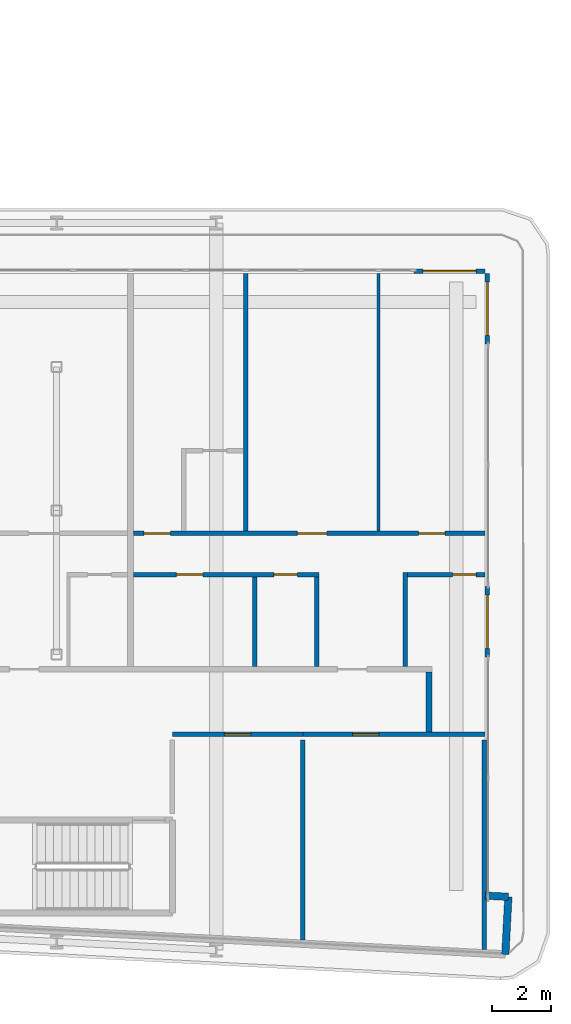
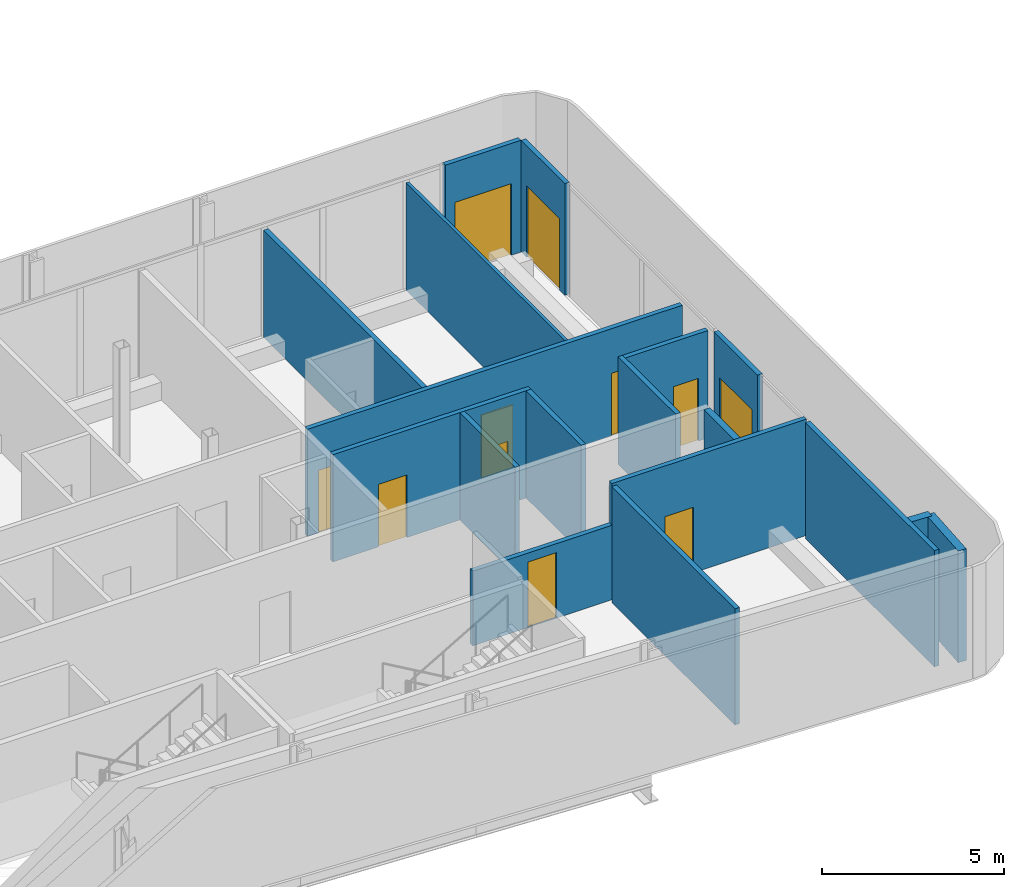
# One storey, part 20 of 29: 18 walls, 11 doors, 11 openings.
"""IFC4 building model written with IfcOpenShell, lengths in metres."""

from ifc_helpers import new_model, si_unit, direction, frame, frame_2d, origin, place, context, subcontext, project, spatial, rectangle, extrude, source, transform, mapped, material, layer, layer_set, type_object, element, fill, save


model = new_model("IFC4")

# Units and contexts
model_context = context("Model", 3, precision=1e-05, world=origin(), true_north=direction((0.0, 1.0)))
body_context = subcontext(model_context, "Body", "Model", "MODEL_VIEW")
ifc_project = project(units=[si_unit("LENGTHUNIT", "METRE"), si_unit("AREAUNIT", "SQUARE_METRE"), si_unit("VOLUMEUNIT", "CUBIC_METRE"), si_unit("PLANEANGLEUNIT", "RADIAN"), si_unit("MASSUNIT", "GRAM", prefix="KILO")], contexts=[model_context])

# Site, building, storey
site_placement = place(None, origin())
site = spatial("IfcSite", under=ifc_project, at=site_placement, CompositionType="ELEMENT")
building_placement = place(site_placement, origin())
building = spatial("IfcBuilding", under=site, at=building_placement, Name="Kheshtan School and Residences Tower", CompositionType="ELEMENT")
storey_placement = place(building_placement, frame((0.0, 0.0, 69.5)))
storey = spatial("IfcBuildingStorey", under=building, at=storey_placement, Name="L16", CompositionType="ELEMENT", Elevation=69.5)

# Walls
ifc_material_1 = material(Name="Gypsum board on steel studs with fire boards", Category="steel")
ifc_layer_1 = layer(ifc_material_1, 0.199951171875)
ifc_layer_set_1 = layer_set([ifc_layer_1], Name="Corridor wall 200")
wall_type_1 = type_object("IfcWallType", Name="Corridor wall 200", PredefinedType="PARTITIONING", material=ifc_layer_set_1)
wall_1_placement = place(storey_placement, frame((98.0, 28.3740234375, 0.0), z_axis=(0.0, 0.0, 1.0), x_axis=(0.0, 1.0, 0.0)))
element("IfcWall", 1, at=wall_1_placement, inside=storey, type_object=wall_type_1, Name="Partition L16-083", PredefinedType="PARTITIONING", context=body_context, shape_type="SweptSolid", body=[
    extrude(rectangle(XDim=2.02587890625, YDim=0.199951171875, at=frame_2d((1.012939453125, 0.0))), origin(), (0.0, 0.0, 1.0), 3.60009765625),
])
ifc_material_2 = material(Name="Concrete C40/50 with ceramic cladding and mineral wool insulation", Category="concrete")
ifc_layer_2 = layer(ifc_material_2, 0.25)
ifc_layer_set_2 = layer_set([ifc_layer_2], Name="External wall 250 ceramic clad")
wall_type_2 = type_object("IfcWallType", Name="External wall 250 ceramic clad", PredefinedType="SOLIDWALL", material=ifc_layer_set_2)
wall_2_placement = place(storey_placement, frame((99.906982421875, 22.839111328125, 0.0), z_axis=(0.0, 0.0, 1.0), x_axis=(0.998561284263, -0.053622398031, 0.0)))
element("IfcWall", 2, at=wall_2_placement, inside=storey, type_object=wall_type_2, Name="External wall L16 14", PredefinedType="SOLIDWALL", context=body_context, shape_type="SweptSolid", body=[
    extrude(rectangle(XDim=0.783203125, YDim=0.25, at=frame_2d((0.3916015625, 0.0))), origin(), (0.0, 0.0, 1.0), 3.75),
])
wall_3_placement = place(storey_placement, frame((100.68896484375, 22.797119140625, 0.0), z_axis=(0.0, 0.0, 1.0), x_axis=(-0.052841433274, -0.998602915542, 0.0)))
element("IfcWall", 3, at=wall_3_placement, inside=storey, type_object=wall_type_2, Name="External wall L16 15", PredefinedType="SOLIDWALL", context=body_context, shape_type="SweptSolid", body=[
    extrude(rectangle(XDim=1.94970703125, YDim=0.25, at=frame_2d((0.974853515625, 0.0))), origin(), (0.0, 0.0, 1.0), 3.75),
])

# Wall, opening, door
ifc_material_3 = material(Name="Aluminium frame wall with insulated infill", Category="aluminium")
ifc_layer_3 = layer(ifc_material_3, 0.14990234375)
ifc_layer_set_3 = layer_set([ifc_layer_3], Name="Glazing frame wall 150")
wall_type_3 = type_object("IfcWallType", Name="Glazing frame wall 150", PredefinedType="SOLIDWALL", material=ifc_layer_set_3)
wall_4_placement = place(storey_placement, frame((97.5, 43.97509765625, 0.0), z_axis=(0.0, 0.0, 1.0), x_axis=(1.0, 0.0, 0.0)))
wall_4 = element("IfcWall", 4, at=wall_4_placement, inside=storey, type_object=wall_type_3, Name="Balcony door wall L16 12.5", PredefinedType="SOLIDWALL", context=body_context, shape_type="SweptSolid", body=[
    extrude(rectangle(XDim=2.39990234375, YDim=0.14990234375, at=frame_2d((1.199951171875, 0.0))), origin(), (0.0, 0.0, 1.0), 3.75),
])
opening_1_placement = place(wall_4_placement, frame((0.300048828125, 0.0, 0.0)))
opening_1 = element("IfcOpeningElement", 5, at=opening_1_placement, cuts=wall_4, Name="Opening BD", PredefinedType="OPENING", context=body_context, shape_type="SweptSolid", body=[
    extrude(rectangle(XDim=1.800048828125, YDim=2.39990234375, at=frame_2d((0.89990234375, 1.199951171875))), frame((0.0, 0.0849609375, 0.0), z_axis=(0.0, -1.0, 0.0), x_axis=(1.0, 0.0, 0.0)), (0.0, 0.0, 1.0), 0.169921875),
])
ifc_material_4 = material(Name="Clear low-e glass in thermally broken aluminium frame", Category="aluminium")
door_type_1 = type_object("IfcDoorType", Name="Balcony sliding door", OperationType="SLIDING_TO_LEFT", PredefinedType="DOOR", material=ifc_material_4)
shared_shape_1 = source(origin(), body_context, "Body", "SweptSolid", [
    extrude(rectangle(XDim=1.800048828125, YDim=2.39990234375, at=frame_2d((0.89990234375, 1.199951171875))), frame((0.0, 0.02490234375, 0.0), z_axis=(0.0, -1.0, 0.0), x_axis=(1.0, 0.0, 0.0)), (0.0, 0.0, 1.0), 0.050048828125),
])
door_1_placement = place(opening_1_placement, origin())
door_1 = element("IfcDoor", 6, at=door_1_placement, inside=storey, type_object=door_type_1, Name="Balcony door L16 12.5", OperationType="SLIDING_TO_LEFT", OverallHeight=2.39990234375, OverallWidth=1.800048828125, PredefinedType="DOOR", context=body_context, shape_type="MappedRepresentation", body=[
    mapped(shared_shape_1, transform((0.0, 0.0, 0.0), x_axis=(1.0, 0.0, 0.0), y_axis=(0.0, 1.0, 0.0), z_axis=(0.0, 0.0, 1.0), scale=1.0)),
])
fill(opening_1, door_1)

wall_5_placement = place(storey_placement, frame((99.97509765625, 43.89990234375, 0.0), z_axis=(0.0, 0.0, 1.0), x_axis=(0.0, -1.0, 0.0)))
wall_5 = element("IfcWall", 7, at=wall_5_placement, inside=storey, type_object=wall_type_3, Name="Balcony door wall L16 13.1", PredefinedType="SOLIDWALL", context=body_context, shape_type="SweptSolid", body=[
    extrude(rectangle(XDim=2.39990234375, YDim=0.14990234375, at=frame_2d((1.199951171875, 0.0))), origin(), (0.0, 0.0, 1.0), 3.75),
])
opening_2_placement = place(wall_5_placement, frame((0.300048828125, 0.0, 0.0)))
opening_2 = element("IfcOpeningElement", 8, at=opening_2_placement, cuts=wall_5, Name="Opening BD", PredefinedType="OPENING", context=body_context, shape_type="SweptSolid", body=[
    extrude(rectangle(XDim=1.800048828125, YDim=2.39990234375, at=frame_2d((0.89990234375, 1.199951171875))), frame((0.0, 0.0849609375, 0.0), z_axis=(0.0, -1.0, 0.0), x_axis=(1.0, 0.0, 0.0)), (0.0, 0.0, 1.0), 0.169921875),
])
door_2_placement = place(opening_2_placement, origin())
door_2 = element("IfcDoor", 9, at=door_2_placement, inside=storey, type_object=door_type_1, Name="Balcony door L16 13.1", OperationType="SLIDING_TO_LEFT", OverallHeight=2.39990234375, OverallWidth=1.800048828125, PredefinedType="DOOR", context=body_context, shape_type="MappedRepresentation", body=[
    mapped(shared_shape_1, transform((0.0, 0.0, 0.0), x_axis=(1.0, 0.0, 0.0), y_axis=(0.0, 1.0, 0.0), z_axis=(0.0, 0.0, 1.0), scale=1.0)),
])
fill(opening_2, door_2)

wall_6_placement = place(storey_placement, frame((99.97509765625, 33.306884765625, 0.0), z_axis=(0.0, 0.0, 1.0), x_axis=(0.0, -1.0, 0.0)))
wall_6 = element("IfcWall", 10, at=wall_6_placement, inside=storey, type_object=wall_type_3, Name="Balcony door wall L16 13.2", PredefinedType="SOLIDWALL", context=body_context, shape_type="SweptSolid", body=[
    extrude(rectangle(XDim=2.39990234375, YDim=0.14990234375, at=frame_2d((1.199951171875, 0.0))), origin(), (0.0, 0.0, 1.0), 3.75),
])
opening_3_placement = place(wall_6_placement, frame((0.300048828125, 0.0, 0.0)))
opening_3 = element("IfcOpeningElement", 11, at=opening_3_placement, cuts=wall_6, Name="Opening BD", PredefinedType="OPENING", context=body_context, shape_type="SweptSolid", body=[
    extrude(rectangle(XDim=1.800048828125, YDim=2.39990234375, at=frame_2d((0.89990234375, 1.199951171875))), frame((0.0, 0.0849609375, 0.0), z_axis=(0.0, -1.0, 0.0), x_axis=(1.0, 0.0, 0.0)), (0.0, 0.0, 1.0), 0.169921875),
])
door_3_placement = place(opening_3_placement, origin())
door_3 = element("IfcDoor", 12, at=door_3_placement, inside=storey, type_object=door_type_1, Name="Balcony door L16 13.2", OperationType="SLIDING_TO_LEFT", OverallHeight=2.39990234375, OverallWidth=1.800048828125, PredefinedType="DOOR", context=body_context, shape_type="MappedRepresentation", body=[
    mapped(shared_shape_1, transform((0.0, 0.0, 0.0), x_axis=(1.0, 0.0, 0.0), y_axis=(0.0, 1.0, 0.0), z_axis=(0.0, 0.0, 1.0), scale=1.0)),
])
fill(opening_3, door_3)

# Wall
ifc_material_5 = material(Name="Gypsum board on steel studs", Category="steel")
ifc_layer_4 = layer(ifc_material_5, 0.10009765625)
ifc_layer_set_4 = layer_set([ifc_layer_4], Name="Gypsum partition 100")
wall_type_4 = type_object("IfcWallType", Name="Gypsum partition 100", PredefinedType="PARTITIONING", material=ifc_layer_set_4)
wall_7_placement = place(storey_placement, frame((96.300048828125, 35.175048828125, 0.0), z_axis=(0.0, 0.0, 1.0), x_axis=(0.0, 1.0, 0.0)))
element("IfcWall", 13, at=wall_7_placement, inside=storey, type_object=wall_type_4, Name="Partition L16-080", PredefinedType="PARTITIONING", context=body_context, shape_type="SweptSolid", body=[
    extrude(rectangle(XDim=8.724853515625, YDim=0.10009765625, at=frame_2d((4.3623046875, 0.0))), origin(), (0.0, 0.0, 1.0), 3.60009765625),
])

# Wall, opening, door
ifc_material_6 = material(Name="Fire-board shaft wall system")
ifc_layer_5 = layer(ifc_material_6, 0.14990234375)
ifc_layer_set_5 = layer_set([ifc_layer_5], Name="Service room wall 150")
wall_type_5 = type_object("IfcWallType", Name="Service room wall 150", PredefinedType="PARTITIONING", material=ifc_layer_set_5)
wall_8_placement = place(storey_placement, frame((89.320068359375, 28.300048828125, 0.0), z_axis=(0.0, 0.0, 1.0), x_axis=(1.0, 0.0, 0.0)))
wall_8 = element("IfcWall", 14, at=wall_8_placement, inside=storey, type_object=wall_type_5, Name="Service room wall", PredefinedType="PARTITIONING", context=body_context, shape_type="SweptSolid", body=[
    extrude(rectangle(XDim=4.412841796875, YDim=0.14990234375, at=frame_2d((2.20654296875, 0.0))), origin(), (0.0, 0.0, 1.0), 2.5),
])
opening_4_placement = place(wall_8_placement, frame((1.756103515625, 0.0, 0.0)))
opening_4 = element("IfcOpeningElement", 15, at=opening_4_placement, cuts=wall_8, Name="Opening SR90", PredefinedType="OPENING", context=body_context, shape_type="SweptSolid", body=[
    extrude(rectangle(XDim=0.89990234375, YDim=2.199951171875, at=frame_2d((0.449951171875, 1.10009765625))), frame((0.0, 0.0849609375, 0.0), z_axis=(0.0, -1.0, 0.0), x_axis=(1.0, 0.0, 0.0)), (0.0, 0.0, 1.0), 0.169921875),
])
ifc_material_7 = material(Name="Steel door leaf, galvanised", Category="steel")
door_type_2 = type_object("IfcDoorType", Name="Service room door 900 steel 90 min", OperationType="SINGLE_SWING_LEFT", PredefinedType="DOOR", material=ifc_material_7)
shared_shape_2 = source(origin(), body_context, "Body", "SweptSolid", [
    extrude(rectangle(XDim=0.89990234375, YDim=2.199951171875, at=frame_2d((0.449951171875, 1.10009765625))), frame((0.0, 0.02490234375, 0.0), z_axis=(0.0, -1.0, 0.0), x_axis=(1.0, 0.0, 0.0)), (0.0, 0.0, 1.0), 0.050048828125),
])
door_4_placement = place(opening_4_placement, origin())
door_4 = element("IfcDoor", 16, at=door_4_placement, inside=storey, type_object=door_type_2, Name="Service room door", OperationType="SINGLE_SWING_LEFT", OverallHeight=2.199951171875, OverallWidth=0.89990234375, PredefinedType="DOOR", context=body_context, shape_type="MappedRepresentation", body=[
    mapped(shared_shape_2, transform((0.0, 0.0, 0.0), x_axis=(1.0, 0.0, 0.0), y_axis=(0.0, 1.0, 0.0), z_axis=(0.0, 0.0, 1.0), scale=1.0)),
])
fill(opening_4, door_4)

# Wall
wall_9_placement = place(storey_placement, frame((93.73291015625, 21.337890625, 0.0), z_axis=(0.0, 0.0, 1.0), x_axis=(0.0, 1.0, 0.0)))
element("IfcWall", 17, at=wall_9_placement, inside=storey, type_object=wall_type_5, Name="Service room wall", PredefinedType="PARTITIONING", context=body_context, shape_type="SweptSolid", body=[
    extrude(rectangle(XDim=6.76708984375, YDim=0.14990234375, at=frame_2d((3.383544921875, 0.0))), origin(), (0.0, 0.0, 1.0), 3.89990234375),
])

# Wall, opening, door
wall_10_placement = place(storey_placement, frame((93.73291015625, 28.300048828125, 0.0), z_axis=(0.0, 0.0, 1.0), x_axis=(1.0, 0.0, 0.0)))
wall_10 = element("IfcWall", 18, at=wall_10_placement, inside=storey, type_object=wall_type_5, Name="Service room wall", PredefinedType="PARTITIONING", context=body_context, shape_type="SweptSolid", body=[
    extrude(rectangle(XDim=6.1650390625, YDim=0.14990234375, at=frame_2d((3.08251953125, 0.0))), origin(), (0.0, 0.0, 1.0), 3.89990234375),
])
opening_5_placement = place(wall_10_placement, frame((1.68310546875, 0.0, 0.0)))
opening_5 = element("IfcOpeningElement", 19, at=opening_5_placement, cuts=wall_10, Name="Opening SR90", PredefinedType="OPENING", context=body_context, shape_type="SweptSolid", body=[
    extrude(rectangle(XDim=0.89990234375, YDim=2.199951171875, at=frame_2d((0.449951171875, 1.10009765625))), frame((0.0, 0.0849609375, 0.0), z_axis=(0.0, -1.0, 0.0), x_axis=(1.0, 0.0, 0.0)), (0.0, 0.0, 1.0), 0.169921875),
])
door_5_placement = place(opening_5_placement, origin())
door_5 = element("IfcDoor", 20, at=door_5_placement, inside=storey, type_object=door_type_2, Name="Service room door", OperationType="SINGLE_SWING_RIGHT", OverallHeight=2.199951171875, OverallWidth=0.89990234375, PredefinedType="DOOR", context=body_context, shape_type="MappedRepresentation", body=[
    mapped(shared_shape_2, transform((0.0, 0.0, 0.0), x_axis=(1.0, 0.0, 0.0), y_axis=(0.0, 1.0, 0.0), z_axis=(0.0, 0.0, 1.0), scale=1.0)),
])
fill(opening_5, door_5)

# Wall
wall_11_placement = place(storey_placement, frame((99.8701171875, 21.014892578125, 0.0), z_axis=(0.0, 0.0, 1.0), x_axis=(0.0, 1.0, 0.0)))
element("IfcWall", 21, at=wall_11_placement, inside=storey, type_object=wall_type_5, Name="Service room wall", PredefinedType="PARTITIONING", context=body_context, shape_type="SweptSolid", body=[
    extrude(rectangle(XDim=7.090087890625, YDim=0.14990234375, at=frame_2d((3.544921875, 0.0))), origin(), (0.0, 0.0, 1.0), 3.89990234375),
])

# Wall, openings, doors
ifc_material_8 = material(Name="Moisture-resistant gypsum board on steel studs", Category="steel")
ifc_layer_6 = layer(ifc_material_8, 0.14990234375)
ifc_layer_set_6 = layer_set([ifc_layer_6], Name="Wet-room partition 150")
wall_type_6 = type_object("IfcWallType", Name="Wet-room partition 150", PredefinedType="PARTITIONING", material=ifc_layer_set_6)
wall_12_placement = place(storey_placement, frame((88.0, 33.699951171875, 0.0), z_axis=(0.0, 0.0, 1.0), x_axis=(1.0, 0.0, 0.0)))
wall_12 = element("IfcWall", 22, at=wall_12_placement, inside=storey, type_object=wall_type_6, Name="Partition L16-073", PredefinedType="PARTITIONING", context=body_context, shape_type="SweptSolid", body=[
    extrude(rectangle(XDim=6.27490234375, YDim=0.14990234375, at=frame_2d((3.137451171875, 0.0))), origin(), (0.0, 0.0, 1.0), 3.60009765625),
])
opening_6_placement = place(wall_12_placement, frame((1.449951171875, 0.0, 0.0)))
opening_6 = element("IfcOpeningElement", 23, at=opening_6_placement, cuts=wall_12, Name="Opening D14-029", PredefinedType="OPENING", context=body_context, shape_type="SweptSolid", body=[
    extrude(rectangle(XDim=0.89990234375, YDim=2.10009765625, at=frame_2d((0.449951171875, 1.050048828125))), frame((0.0, 0.0849609375, 0.0), z_axis=(0.0, -1.0, 0.0), x_axis=(1.0, 0.0, 0.0)), (0.0, 0.0, 1.0), 0.169921875),
])
opening_7_placement = place(wall_12_placement, frame((4.75, 0.0, 0.0)))
opening_7 = element("IfcOpeningElement", 24, at=opening_7_placement, cuts=wall_12, Name="Opening D14-032", PredefinedType="OPENING", context=body_context, shape_type="SweptSolid", body=[
    extrude(rectangle(XDim=0.800048828125, YDim=2.10009765625, at=frame_2d((0.39990234375, 1.050048828125))), frame((0.0, 0.0849609375, 0.0), z_axis=(0.0, -1.0, 0.0), x_axis=(1.0, 0.0, 0.0)), (0.0, 0.0, 1.0), 0.169921875),
])
ifc_material_9 = material(Name="Veneered timber door leaf", Category="wood")
door_type_3 = type_object("IfcDoorType", Name="Door 800 x 2100", OperationType="SINGLE_SWING_LEFT", PredefinedType="DOOR", material=ifc_material_9)
shared_shape_3 = source(origin(), body_context, "Body", "SweptSolid", [
    extrude(rectangle(XDim=0.800048828125, YDim=2.10009765625, at=frame_2d((0.39990234375, 1.050048828125))), frame((0.0, 0.02490234375, 0.0), z_axis=(0.0, -1.0, 0.0), x_axis=(1.0, 0.0, 0.0)), (0.0, 0.0, 1.0), 0.050048828125),
])
door_6_placement = place(opening_7_placement, origin())
door_6 = element("IfcDoor", 25, at=door_6_placement, inside=storey, type_object=door_type_3, Name="Door D14-032", OperationType="SINGLE_SWING_LEFT", OverallHeight=2.10009765625, OverallWidth=0.800048828125, PredefinedType="DOOR", context=body_context, shape_type="MappedRepresentation", body=[
    mapped(shared_shape_3, transform((0.0, 0.0, 0.0), x_axis=(1.0, 0.0, 0.0), y_axis=(0.0, 1.0, 0.0), z_axis=(0.0, 0.0, 1.0), scale=1.0)),
])
fill(opening_7, door_6)
door_type_4 = type_object("IfcDoorType", Name="Door 900 x 2100", OperationType="SINGLE_SWING_LEFT", PredefinedType="DOOR", material=ifc_material_9)
shared_shape_4 = source(origin(), body_context, "Body", "SweptSolid", [
    extrude(rectangle(XDim=0.89990234375, YDim=2.10009765625, at=frame_2d((0.449951171875, 1.050048828125))), frame((0.0, 0.02490234375, 0.0), z_axis=(0.0, -1.0, 0.0), x_axis=(1.0, 0.0, 0.0)), (0.0, 0.0, 1.0), 0.050048828125),
])
door_7_placement = place(opening_6_placement, origin())
door_7 = element("IfcDoor", 26, at=door_7_placement, inside=storey, type_object=door_type_4, Name="Door D14-029", OperationType="SINGLE_SWING_LEFT", OverallHeight=2.10009765625, OverallWidth=0.89990234375, PredefinedType="DOOR", context=body_context, shape_type="MappedRepresentation", body=[
    mapped(shared_shape_4, transform((0.0, 0.0, 0.0), x_axis=(1.0, 0.0, 0.0), y_axis=(0.0, 1.0, 0.0), z_axis=(0.0, 0.0, 1.0), scale=1.0)),
])
fill(opening_6, door_7)

wall_13_placement = place(storey_placement, frame((88.0, 35.10009765625, 0.0), z_axis=(0.0, 0.0, 1.0), x_axis=(1.0, 0.0, 0.0)))
wall_13 = element("IfcWall", 27, at=wall_13_placement, inside=storey, type_object=wall_type_6, Name="Partition L16-074", PredefinedType="PARTITIONING", context=body_context, shape_type="SweptSolid", body=[
    extrude(rectangle(XDim=11.89990234375, YDim=0.14990234375, at=frame_2d((5.949951171875, 0.0))), origin(), (0.0, 0.0, 1.0), 3.60009765625),
])
opening_8_placement = place(wall_13_placement, frame((9.64990234375, 0.0, 0.0)))
opening_8 = element("IfcOpeningElement", 28, at=opening_8_placement, cuts=wall_13, Name="Opening D14-026", PredefinedType="OPENING", context=body_context, shape_type="SweptSolid", body=[
    extrude(rectangle(XDim=0.89990234375, YDim=2.10009765625, at=frame_2d((0.449951171875, 1.050048828125))), frame((0.0, 0.0849609375, 0.0), z_axis=(0.0, -1.0, 0.0), x_axis=(1.0, 0.0, 0.0)), (0.0, 0.0, 1.0), 0.169921875),
])
opening_9_placement = place(wall_13_placement, frame((5.550048828125, 0.0, 0.0)))
opening_9 = element("IfcOpeningElement", 29, at=opening_9_placement, cuts=wall_13, Name="Opening D14-030", PredefinedType="OPENING", context=body_context, shape_type="SweptSolid", body=[
    extrude(rectangle(XDim=1.0, YDim=2.10009765625, at=frame_2d((0.5, 1.050048828125))), frame((0.0, 0.0849609375, 0.0), z_axis=(0.0, -1.0, 0.0), x_axis=(1.0, 0.0, 0.0)), (0.0, 0.0, 1.0), 0.169921875),
])
opening_10_placement = place(wall_13_placement, frame((0.35009765625, 0.0, 0.0)))
opening_10 = element("IfcOpeningElement", 30, at=opening_10_placement, cuts=wall_13, Name="Opening D14-031", PredefinedType="OPENING", context=body_context, shape_type="SweptSolid", body=[
    extrude(rectangle(XDim=0.89990234375, YDim=2.10009765625, at=frame_2d((0.449951171875, 1.050048828125))), frame((0.0, 0.0849609375, 0.0), z_axis=(0.0, -1.0, 0.0), x_axis=(1.0, 0.0, 0.0)), (0.0, 0.0, 1.0), 0.169921875),
])
door_type_5 = type_object("IfcDoorType", Name="Door 1000 x 2100", OperationType="SINGLE_SWING_LEFT", PredefinedType="DOOR", material=ifc_material_9)
shared_shape_5 = source(origin(), body_context, "Body", "SweptSolid", [
    extrude(rectangle(XDim=1.0, YDim=2.10009765625, at=frame_2d((0.5, 1.050048828125))), frame((0.0, 0.02490234375, 0.0), z_axis=(0.0, -1.0, 0.0), x_axis=(1.0, 0.0, 0.0)), (0.0, 0.0, 1.0), 0.050048828125),
])
door_8_placement = place(opening_9_placement, origin())
door_8 = element("IfcDoor", 31, at=door_8_placement, inside=storey, type_object=door_type_5, Name="Door D14-030", OperationType="SINGLE_SWING_LEFT", OverallHeight=2.10009765625, OverallWidth=1.0, PredefinedType="DOOR", context=body_context, shape_type="MappedRepresentation", body=[
    mapped(shared_shape_5, transform((0.0, 0.0, 0.0), x_axis=(1.0, 0.0, 0.0), y_axis=(0.0, 1.0, 0.0), z_axis=(0.0, 0.0, 1.0), scale=1.0)),
])
fill(opening_9, door_8)
door_9_placement = place(opening_8_placement, origin())
door_9 = element("IfcDoor", 32, at=door_9_placement, inside=storey, type_object=door_type_4, Name="Door D14-026", OperationType="SINGLE_SWING_LEFT", OverallHeight=2.10009765625, OverallWidth=0.89990234375, PredefinedType="DOOR", context=body_context, shape_type="MappedRepresentation", body=[
    mapped(shared_shape_4, transform((0.0, 0.0, 0.0), x_axis=(1.0, 0.0, 0.0), y_axis=(0.0, 1.0, 0.0), z_axis=(0.0, 0.0, 1.0), scale=1.0)),
])
fill(opening_8, door_9)
door_10_placement = place(opening_10_placement, origin())
door_10 = element("IfcDoor", 33, at=door_10_placement, inside=storey, type_object=door_type_4, Name="Door D14-031", OperationType="SINGLE_SWING_RIGHT", OverallHeight=2.10009765625, OverallWidth=0.89990234375, PredefinedType="DOOR", context=body_context, shape_type="MappedRepresentation", body=[
    mapped(shared_shape_4, transform((0.0, 0.0, 0.0), x_axis=(1.0, 0.0, 0.0), y_axis=(0.0, 1.0, 0.0), z_axis=(0.0, 0.0, 1.0), scale=1.0)),
])
fill(opening_10, door_10)

# Walls
wall_14_placement = place(storey_placement, frame((91.800048828125, 35.175048828125, 0.0), z_axis=(0.0, 0.0, 1.0), x_axis=(0.0, 1.0, 0.0)))
element("IfcWall", 34, at=wall_14_placement, inside=storey, type_object=wall_type_6, Name="Partition L16-077", PredefinedType="PARTITIONING", context=body_context, shape_type="SweptSolid", body=[
    extrude(rectangle(XDim=8.724853515625, YDim=0.14990234375, at=frame_2d((4.3623046875, 0.0))), origin(), (0.0, 0.0, 1.0), 3.60009765625),
])
for number, where, z_axis, x_axis, name in (
    (35, (92.10009765625, 30.60009765625, 0.0), (0.0, 0.0, 1.0), (0.0, 1.0, 0.0), "Partition L16-078"),
    (36, (94.199951171875, 30.60009765625, 0.0), (0.0, 0.0, 1.0), (0.0, 1.0, 0.0), "Partition L16-079"),
):
    element("IfcWall", number, at=place(storey_placement, frame(where, z_axis=z_axis, x_axis=x_axis)), inside=storey, type_object=wall_type_6, Name=name, PredefinedType="PARTITIONING", context=body_context, shape_type="SweptSolid", body=[
        extrude(rectangle(XDim=3.02490234375, YDim=0.14990234375, at=frame_2d((1.512451171875, 0.0))), origin(), (0.0, 0.0, 1.0), 3.60009765625),
    ])
wall_15_placement = place(storey_placement, frame((97.199951171875, 30.60009765625, 0.0), z_axis=(0.0, 0.0, 1.0), x_axis=(0.0, 1.0, 0.0)))
element("IfcWall", 37, at=wall_15_placement, inside=storey, type_object=wall_type_6, Name="Partition L16-081", PredefinedType="PARTITIONING", context=body_context, shape_type="SweptSolid", body=[
    extrude(rectangle(XDim=3.1748046875, YDim=0.14990234375, at=frame_2d((1.58740234375, 0.0))), origin(), (0.0, 0.0, 1.0), 3.60009765625),
])

# Wall, opening, door
wall_16_placement = place(storey_placement, frame((97.27490234375, 33.699951171875, 0.0), z_axis=(0.0, 0.0, 1.0), x_axis=(1.0, 0.0, 0.0)))
wall_16 = element("IfcWall", 38, at=wall_16_placement, inside=storey, type_object=wall_type_6, Name="Partition L16-082", PredefinedType="PARTITIONING", context=body_context, shape_type="SweptSolid", body=[
    extrude(rectangle(XDim=2.625, YDim=0.14990234375, at=frame_2d((1.3125, 0.0))), origin(), (0.0, 0.0, 1.0), 3.60009765625),
])
opening_11_placement = place(wall_16_placement, frame((1.52490234375, 0.0, 0.0)))
opening_11 = element("IfcOpeningElement", 39, at=opening_11_placement, cuts=wall_16, Name="Opening D14-025", PredefinedType="OPENING", context=body_context, shape_type="SweptSolid", body=[
    extrude(rectangle(XDim=0.800048828125, YDim=2.10009765625, at=frame_2d((0.39990234375, 1.050048828125))), frame((0.0, 0.0849609375, 0.0), z_axis=(0.0, -1.0, 0.0), x_axis=(1.0, 0.0, 0.0)), (0.0, 0.0, 1.0), 0.169921875),
])
door_11_placement = place(opening_11_placement, origin())
door_11 = element("IfcDoor", 40, at=door_11_placement, inside=storey, type_object=door_type_3, Name="Door D14-025", OperationType="SINGLE_SWING_RIGHT", OverallHeight=2.10009765625, OverallWidth=0.800048828125, PredefinedType="DOOR", context=body_context, shape_type="MappedRepresentation", body=[
    mapped(shared_shape_3, transform((0.0, 0.0, 0.0), x_axis=(1.0, 0.0, 0.0), y_axis=(0.0, 1.0, 0.0), z_axis=(0.0, 0.0, 1.0), scale=1.0)),
])
fill(opening_11, door_11)

save(model, "model.ifc")
